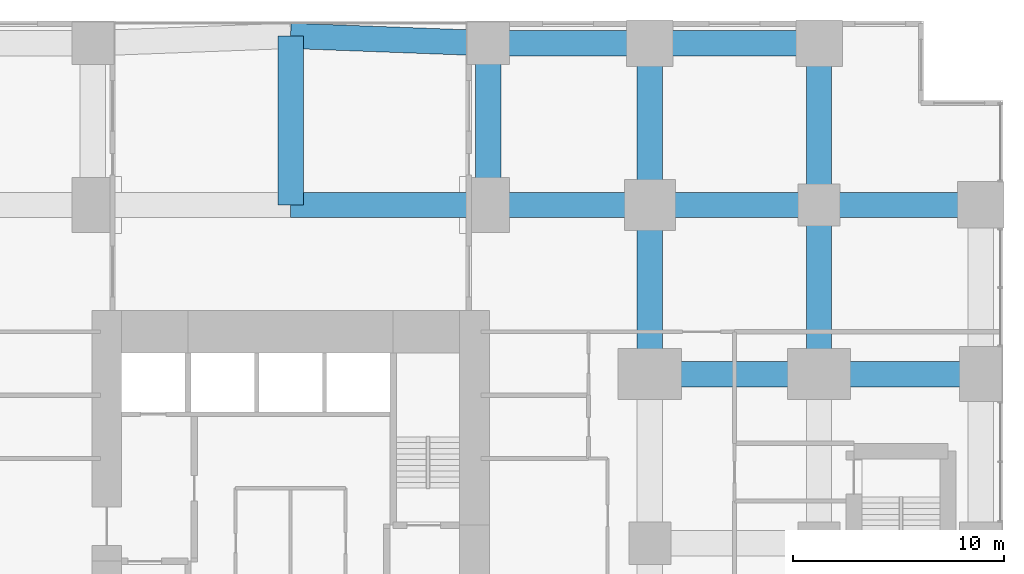
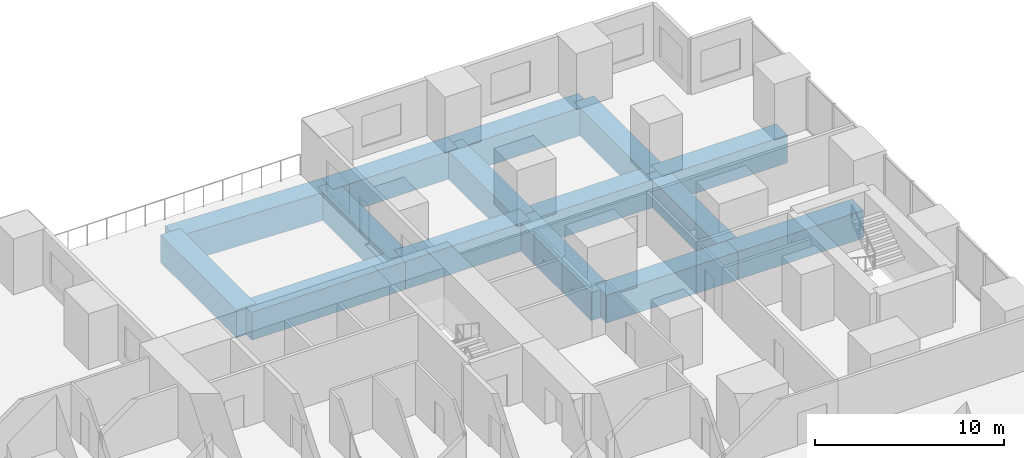
# One storey, part 6 of 15: 15 beams.
"""IFC4 building model written with IfcOpenShell, lengths in metres."""

from ifc_helpers import new_model, si_unit, direction, frame, origin, origin_2d, place, context, subcontext, project, spatial, rectangle, extrude, material, material_profile, profile_set, type_object, element, save


model = new_model("IFC4")

# Units and contexts
model_context = context("Model", 3, precision=1e-05, world=origin(), true_north=direction((0.0, 1.0)))
body_context = subcontext(model_context, "Body", "Model", "MODEL_VIEW")
ifc_project = project(units=[si_unit("LENGTHUNIT", "METRE"), si_unit("AREAUNIT", "SQUARE_METRE"), si_unit("VOLUMEUNIT", "CUBIC_METRE"), si_unit("PLANEANGLEUNIT", "RADIAN"), si_unit("MASSUNIT", "GRAM", prefix="KILO")], contexts=[model_context])

# Site, building, storey
site_placement = place(None, origin())
site = spatial("IfcSite", under=ifc_project, at=site_placement, CompositionType="ELEMENT")
building_placement = place(site_placement, origin())
building = spatial("IfcBuilding", under=site, at=building_placement, Name="Cleftline Residences", CompositionType="ELEMENT")
storey_placement = place(building_placement, frame((0.0, 0.0, 26.0)))
storey = spatial("IfcBuildingStorey", under=building, at=storey_placement, Name="L05", CompositionType="ELEMENT", Elevation=26.0)

# Beams
ifc_material = material(Name="Concrete B45", Category="concrete")
ifc_material_profile = material_profile(ifc_material, rectangle(XDim=1.199951171875, YDim=1.800048828125, at=origin_2d()))
ifc_profile_set = profile_set([ifc_material_profile], Name="Concrete B45")
beam_type = type_object("IfcBeamType", Name="BEAM RC1200X1800", PredefinedType="BEAM", material=ifc_profile_set)
beam_1_placement = place(storey_placement, frame((50.0, 32.0, -1.25), z_axis=(1.0, 0.0, 0.0), x_axis=(0.0, 1.0, 0.0)))
element("IfcBeam", 1, at=beam_1_placement, inside=storey, type_object=beam_type, Name="Podium beam", PredefinedType="BEAM", context=body_context, shape_type="SweptSolid", body=[
    extrude(rectangle(XDim=1.199951171875, YDim=1.800048828125, at=origin_2d()), origin(), (0.0, 0.0, 1.0), 8.0),
])
beam_2_placement = place(storey_placement, frame((58.0, 32.0, -1.25), z_axis=(1.0, 0.0, 0.0), x_axis=(0.0, 1.0, 0.0)))
element("IfcBeam", 2, at=beam_2_placement, inside=storey, type_object=beam_type, Name="Podium beam", PredefinedType="BEAM", context=body_context, shape_type="SweptSolid", body=[
    extrude(rectangle(XDim=1.199951171875, YDim=1.800048828125, at=origin_2d()), origin(), (0.0, 0.0, 1.0), 7.64990234375),
])
beam_3_placement = place(storey_placement, frame((33.0, 40.0, -1.25), z_axis=(1.0, 0.0, 0.0), x_axis=(0.0, 1.0, 0.0)))
element("IfcBeam", 3, at=beam_3_placement, inside=storey, type_object=beam_type, Name="Podium beam", PredefinedType="BEAM", context=body_context, shape_type="SweptSolid", body=[
    extrude(rectangle(XDim=1.199951171875, YDim=1.800048828125, at=origin_2d()), origin(), (0.0, 0.0, 1.0), 9.35009765625),
])
beam_4_placement = place(storey_placement, frame((42.35009765625, 40.0, -1.25), z_axis=(1.0, 0.0, 0.0), x_axis=(0.0, 1.0, 0.0)))
element("IfcBeam", 4, at=beam_4_placement, inside=storey, type_object=beam_type, Name="Podium beam", PredefinedType="BEAM", context=body_context, shape_type="SweptSolid", body=[
    extrude(rectangle(XDim=1.199951171875, YDim=1.800048828125, at=origin_2d()), origin(), (0.0, 0.0, 1.0), 7.64990234375),
])
beam_5_placement = place(storey_placement, frame((50.0, 40.0, -1.25), z_axis=(1.0, 0.0, 0.0), x_axis=(0.0, 1.0, 0.0)))
element("IfcBeam", 5, at=beam_5_placement, inside=storey, type_object=beam_type, Name="Podium beam", PredefinedType="BEAM", context=body_context, shape_type="SweptSolid", body=[
    extrude(rectangle(XDim=1.199951171875, YDim=1.800048828125, at=origin_2d()), origin(), (0.0, 0.0, 1.0), 8.0),
])
beam_6_placement = place(storey_placement, frame((58.0, 40.0, -1.25), z_axis=(1.0, 0.0, 0.0), x_axis=(0.0, 1.0, 0.0)))
element("IfcBeam", 6, at=beam_6_placement, inside=storey, type_object=beam_type, Name="Podium beam", PredefinedType="BEAM", context=body_context, shape_type="SweptSolid", body=[
    extrude(rectangle(XDim=1.199951171875, YDim=1.800048828125, at=origin_2d()), origin(), (0.0, 0.0, 1.0), 7.64990234375),
])
beam_7_placement = place(storey_placement, frame((33.0, 48.0, -1.25), z_axis=(0.999299739303, -0.037416988515, 0.0), x_axis=(0.037416988515, 0.999299739303, 0.0)))
element("IfcBeam", 7, at=beam_7_placement, inside=storey, type_object=beam_type, Name="Podium beam", PredefinedType="BEAM", context=body_context, shape_type="SweptSolid", body=[
    extrude(rectangle(XDim=1.199951171875, YDim=1.800048828125, at=origin_2d()), origin(), (0.0, 0.0, 1.0), 9.356689453125),
])
beam_8_placement = place(storey_placement, frame((42.35009765625, 47.64990234375, -1.25), z_axis=(1.0, 0.0, 0.0), x_axis=(0.0, 1.0, 0.0)))
element("IfcBeam", 8, at=beam_8_placement, inside=storey, type_object=beam_type, Name="Podium beam", PredefinedType="BEAM", context=body_context, shape_type="SweptSolid", body=[
    extrude(rectangle(XDim=1.199951171875, YDim=1.800048828125, at=origin_2d()), origin(), (0.0, 0.0, 1.0), 7.64990234375),
])
for number, where, z_axis, x_axis, name in (
    (9, (50.0, 47.64990234375, -1.25), (1.0, 0.0, 0.0), (0.0, 1.0, 0.0), "Podium beam"),
    (10, (33.0, 40.0, -1.25), (0.0, 1.0, 0.0), (-1.0, 0.0, 0.0), "Podium beam"),
):
    element("IfcBeam", number, at=place(storey_placement, frame(where, z_axis=z_axis, x_axis=x_axis)), inside=storey, type_object=beam_type, Name=name, PredefinedType="BEAM", context=body_context, shape_type="SweptSolid", body=[
        extrude(rectangle(XDim=1.199951171875, YDim=1.800048828125, at=origin_2d()), origin(), (0.0, 0.0, 1.0), 8.0),
    ])
beam_9_placement = place(storey_placement, frame((42.35009765625, 40.0, -1.25), z_axis=(0.0, 1.0, 0.0), x_axis=(-1.0, 0.0, 0.0)))
element("IfcBeam", 11, at=beam_9_placement, inside=storey, type_object=beam_type, Name="Podium beam", PredefinedType="BEAM", context=body_context, shape_type="SweptSolid", body=[
    extrude(rectangle(XDim=1.199951171875, YDim=1.800048828125, at=origin_2d()), origin(), (0.0, 0.0, 1.0), 7.64990234375),
])
beam_10_placement = place(storey_placement, frame((50.0, 32.0, -1.25), z_axis=(0.0, 1.0, 0.0), x_axis=(-1.0, 0.0, 0.0)))
element("IfcBeam", 12, at=beam_10_placement, inside=storey, type_object=beam_type, Name="Podium beam", PredefinedType="BEAM", context=body_context, shape_type="SweptSolid", body=[
    extrude(rectangle(XDim=1.199951171875, YDim=1.800048828125, at=origin_2d()), origin(), (0.0, 0.0, 1.0), 8.0),
])
beam_11_placement = place(storey_placement, frame((50.0, 40.0, -1.25), z_axis=(0.0, 1.0, 0.0), x_axis=(-1.0, 0.0, 0.0)))
element("IfcBeam", 13, at=beam_11_placement, inside=storey, type_object=beam_type, Name="Podium beam", PredefinedType="BEAM", context=body_context, shape_type="SweptSolid", body=[
    extrude(rectangle(XDim=1.199951171875, YDim=1.800048828125, at=origin_2d()), origin(), (0.0, 0.0, 1.0), 7.64990234375),
])
beam_12_placement = place(storey_placement, frame((58.0, 32.0, -1.25), z_axis=(0.0, 1.0, 0.0), x_axis=(-1.0, 0.0, 0.0)))
element("IfcBeam", 14, at=beam_12_placement, inside=storey, type_object=beam_type, Name="Podium beam", PredefinedType="BEAM", context=body_context, shape_type="SweptSolid", body=[
    extrude(rectangle(XDim=1.199951171875, YDim=1.800048828125, at=origin_2d()), origin(), (0.0, 0.0, 1.0), 8.0),
])
beam_13_placement = place(storey_placement, frame((58.0, 40.0, -1.25), z_axis=(0.0, 1.0, 0.0), x_axis=(-1.0, 0.0, 0.0)))
element("IfcBeam", 15, at=beam_13_placement, inside=storey, type_object=beam_type, Name="Podium beam", PredefinedType="BEAM", context=body_context, shape_type="SweptSolid", body=[
    extrude(rectangle(XDim=1.199951171875, YDim=1.800048828125, at=origin_2d()), origin(), (0.0, 0.0, 1.0), 7.64990234375),
])

save(model, "model.ifc")
